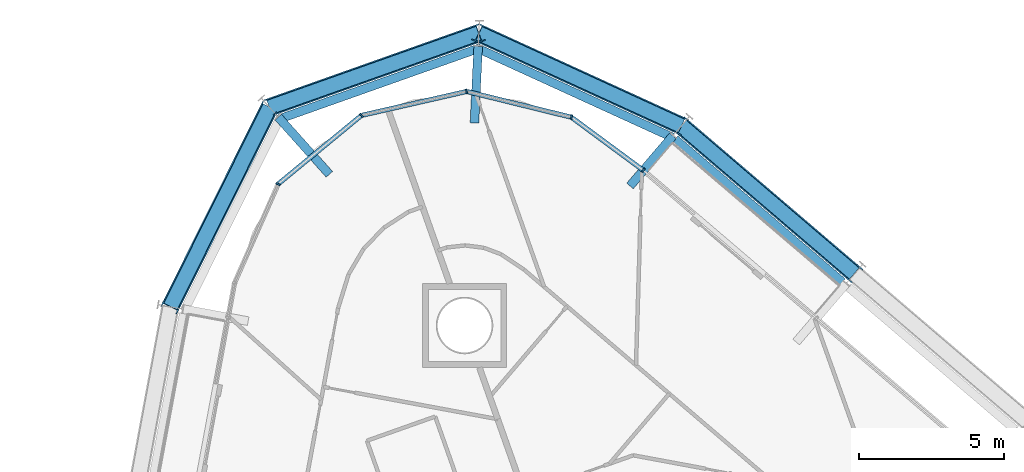
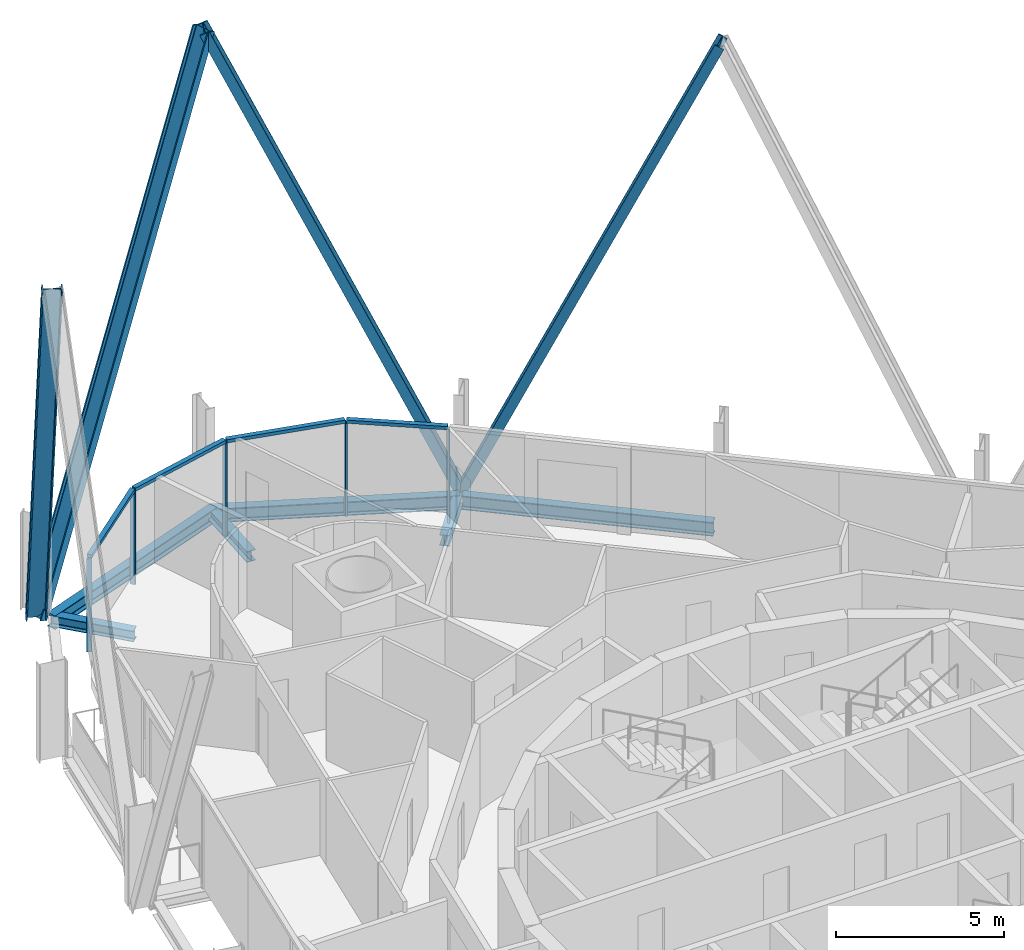
# One storey, part 7 of 17: 13 members, 6 beams, 1 element without a shape of its own.
"""IFC4 building model written with IfcOpenShell, lengths in metres."""

import ifcopenshell
import ifcopenshell.guid

model = None  # the IFC model being written
_history = None  # IfcOwnerHistory: only IFC2X3 demands one
_inside = {}  # id of a spatial element -> (the spatial element, [elements in it])
_under = {}  # id of a project, library or spatial element -> (it, [spatial elements below it])
_declared = {}  # id of a project -> (the project, [libraries it declares])
_typed = {}  # id of a type object -> (the type object, [elements of that type])
_made_of = {}  # id of a material, layer set ... -> (it, [elements and type objects made of it])


def new_model(schema):
    """Start an empty IFC model of exactly this schema.

    Asked for "IFC4X3", IfcOpenShell would pick the latest addendum, in which some entities
    have other attributes; the version numbers below select the first issue.
    IFC2X3 requires an IfcOwnerHistory on every rooted entity: one is made here for all.
    """
    global model, _history
    if schema == "IFC4X3":
        model = ifcopenshell.file(schema_version=(4, 3, 0, 0))
    else:
        model = ifcopenshell.file(schema=schema)
    _inside.clear()
    _under.clear()
    _declared.clear()
    _typed.clear()
    _made_of.clear()
    _history = None
    if model.schema == "IFC2X3":
        org = make("IfcOrganization", Name="unknown")
        user = make(
            "IfcPersonAndOrganization",
            ThePerson=make("IfcPerson", FamilyName="unknown"),
            TheOrganization=org,
        )
        app = make(
            "IfcApplication",
            ApplicationDeveloper=org,
            Version="unknown",
            ApplicationFullName="unknown",
            ApplicationIdentifier="unknown",
        )
        _history = make(
            "IfcOwnerHistory",
            OwningUser=user,
            OwningApplication=app,
            ChangeAction="ADDED",
            CreationDate=0,
        )
    return model


def make(cls, **values):
    """One entity of the class cls with the attributes given. An attribute that is None is left unset."""
    return model.create_entity(
        cls, **{name: value for name, value in values.items() if value is not None}
    )


def rooted(cls, **values):
    """An entity with a GlobalId (a new one), such as an element, a storey or a relation."""
    return make(cls, GlobalId=ifcopenshell.guid.new(), OwnerHistory=_history, **values)


def si_unit(unit_type, name, prefix=None):
    """IfcSIUnit, for example si_unit("LENGTHUNIT", "METRE", prefix="MILLI")."""
    return make("IfcSIUnit", UnitType=unit_type, Prefix=prefix, Name=name)


def assignment(units):
    """IfcUnitAssignment: the units of a project."""
    return None if units is None else make("IfcUnitAssignment", Units=units)


def point(xyz):
    """IfcCartesianPoint."""
    return None if xyz is None else make("IfcCartesianPoint", Coordinates=xyz)


def direction(xyz):
    """IfcDirection."""
    return None if xyz is None else make("IfcDirection", DirectionRatios=xyz)


def frame(location, z_axis=None, x_axis=None):
    """IfcAxis2Placement3D, a coordinate frame: its origin and axes. An axis left out is left unset."""
    return make(
        "IfcAxis2Placement3D",
        Location=point(location),
        Axis=direction(z_axis),
        RefDirection=direction(x_axis),
    )


def frame_2d(location, x_axis=None):
    """IfcAxis2Placement2D, a coordinate frame in the plane: its origin and x axis."""
    return make(
        "IfcAxis2Placement2D", Location=point(location), RefDirection=direction(x_axis)
    )


def origin():
    """The frame at (0, 0, 0) with its axes left unset."""
    return frame((0.0, 0.0, 0.0))


def origin_2d():
    """The frame at (0, 0) in the plane with its x axis left unset."""
    return frame_2d((0.0, 0.0))


def place(relative_to, where):
    """IfcLocalPlacement: puts the frame where relative to a parent placement (None: the world)."""
    return make(
        "IfcLocalPlacement", PlacementRelTo=relative_to, RelativePlacement=where
    )


def context(
    kind, dimensions, precision=None, world=None, true_north=None, identifier=None
):
    """IfcGeometricRepresentationContext, for example the 3D "Model" context."""
    return make(
        "IfcGeometricRepresentationContext",
        ContextIdentifier=identifier,
        ContextType=kind,
        CoordinateSpaceDimension=dimensions,
        Precision=precision,
        WorldCoordinateSystem=world,
        TrueNorth=true_north,
    )


def subcontext(parent, identifier, kind, view, scale=None):
    """IfcGeometricRepresentationSubContext, for example "Body" below "Model"."""
    return make(
        "IfcGeometricRepresentationSubContext",
        ContextIdentifier=identifier,
        ContextType=kind,
        ParentContext=parent,
        TargetScale=scale,
        TargetView=view,
    )


def project(units=None, contexts=None):
    """IfcProject with its units and contexts."""
    return rooted(
        "IfcProject",
        Name="project",
        RepresentationContexts=contexts,
        UnitsInContext=assignment(units),
    )


def spatial(cls, under=None, at=None, **own):
    """A site, building, storey or space (cls), placed at a placement, below another one or the project."""
    s = rooted(cls, ObjectPlacement=at, **own)
    if under is not None:
        _under.setdefault(under.id(), (under, []))[1].append(s)
    return s


def profile(cls, at=None, kind="AREA", **sizes):
    """A parametric profile (cls). Its sizes go by their IFC names, for example OverallWidth=200.0."""
    return make(cls, ProfileType=kind, Position=at, **sizes)


def rectangle(**sizes):
    """IfcRectangleProfileDef."""
    return profile("IfcRectangleProfileDef", **sizes)


def i_section(**sizes):
    """IfcIShapeProfileDef."""
    return profile("IfcIShapeProfileDef", **sizes)


def extrude(swept, where, along, depth):
    """IfcExtrudedAreaSolid: the profile swept, set in the frame where, extruded along a direction by depth."""
    return make(
        "IfcExtrudedAreaSolid",
        SweptArea=swept,
        Position=where,
        ExtrudedDirection=direction(along),
        Depth=depth,
    )


def shape(context_of_items, identifier, shape_type, items):
    """IfcShapeRepresentation: the items that make up one representation, for example the "Body"."""
    return make(
        "IfcShapeRepresentation",
        ContextOfItems=context_of_items,
        RepresentationIdentifier=identifier,
        RepresentationType=shape_type,
        Items=items,
    )


def material(Name=None, Category=None):
    """IfcMaterial."""
    return make("IfcMaterial", Name=Name, Category=Category)


def layer(
    of_material, thickness, ventilated=None, Name=None, Category=None, Priority=None
):
    """IfcMaterialLayer: one layer of a wall or slab, of a material (None: an air gap)."""
    return make(
        "IfcMaterialLayer",
        Material=of_material,
        LayerThickness=thickness,
        IsVentilated=ventilated,
        Name=Name,
        Category=Category,
        Priority=Priority,
    )


def layer_set(layers, Name=None):
    """IfcMaterialLayerSet."""
    return make("IfcMaterialLayerSet", MaterialLayers=layers, LayerSetName=Name)


def material_profile(
    of_material, cross_section, Name=None, Category=None, Priority=None
):
    """IfcMaterialProfile: a cross section and its material."""
    return make(
        "IfcMaterialProfile",
        Name=Name,
        Material=of_material,
        Profile=cross_section,
        Priority=Priority,
        Category=Category,
    )


def profile_set(profiles, Name=None, composite=None):
    """IfcMaterialProfileSet."""
    return make(
        "IfcMaterialProfileSet",
        Name=Name,
        MaterialProfiles=profiles,
        CompositeProfile=composite,
    )


def made_of(thing, what):
    """Note that an element or type object is made of a material, layer set ...; save() writes the relation."""
    if what is not None:
        _made_of.setdefault(what.id(), (what, []))[1].append(thing)
    return thing


def type_object(cls, material=None, **own):
    """A type object (cls), such as IfcWallType, which elements share."""
    return made_of(rooted(cls, **own), material)


def element(
    cls,
    number,
    at=None,
    inside=None,
    cuts=None,
    type_object=None,
    material=None,
    context=None,
    identifier="Body",
    shape_type=None,
    held_by="IfcProductDefinitionShape",
    body=None,
    shapes=None,
    **own,
):
    """One element of the class cls, such as IfcWall. Its Tag is "e" and its number.

    at: its placement. inside: the storey or other place that contains it. cuts: it is an
    opening in that element (IfcRelVoidsElement). A single representation is given by context,
    identifier, shape_type and body (its items); several are given by shapes. held_by: the class
    of the entity that holds the representations. save() writes the other relations.
    """
    e = rooted(cls, Tag="e%d" % number, ObjectPlacement=at, **own)
    if body is not None:
        shapes = [shape(context, identifier, shape_type, body)]
    if shapes is not None:
        e.Representation = make(held_by, Representations=shapes)
    if inside is not None:
        _inside.setdefault(inside.id(), (inside, []))[1].append(e)
    if cuts is not None:
        rooted(
            "IfcRelVoidsElement", RelatingBuildingElement=cuts, RelatedOpeningElement=e
        )
    if type_object is not None:
        _typed.setdefault(type_object.id(), (type_object, []))[1].append(e)
    return made_of(e, material)


def aggregate(whole, parts):
    """IfcRelAggregates: a whole, such as a stair, and the parts it consists of."""
    return rooted("IfcRelAggregates", RelatingObject=whole, RelatedObjects=parts)


def save(model, path):
    """Write the relations noted so far, then the file.

    IfcRelAggregates (storeys below a building ...), IfcRelContainedInSpatialStructure (elements
    in a storey), IfcRelDefinesByType, IfcRelAssociatesMaterial and IfcRelDeclares: one each for
    every whole, place, type object, material and project.
    """
    for whole, parts in _under.values():
        aggregate(whole, parts)
    for where, things in _inside.values():
        rooted(
            "IfcRelContainedInSpatialStructure",
            RelatedElements=things,
            RelatingStructure=where,
        )
    for kind, things in _typed.values():
        rooted("IfcRelDefinesByType", RelatedObjects=things, RelatingType=kind)
    for what, things in _made_of.values():
        rooted("IfcRelAssociatesMaterial", RelatedObjects=things, RelatingMaterial=what)
    for by, libraries in _declared.values():
        rooted("IfcRelDeclares", RelatingContext=by, RelatedDefinitions=libraries)
    model.write(path)


model = new_model("IFC4")

# Units and contexts
model_context = context("Model", 3, precision=1e-05, world=origin(), true_north=direction((0.0, 1.0)))
body_context = subcontext(model_context, "Body", "Model", "MODEL_VIEW")
ifc_project = project(units=[si_unit("LENGTHUNIT", "METRE"), si_unit("AREAUNIT", "SQUARE_METRE"), si_unit("VOLUMEUNIT", "CUBIC_METRE"), si_unit("PLANEANGLEUNIT", "RADIAN"), si_unit("MASSUNIT", "GRAM", prefix="KILO")], contexts=[model_context])

# Site, building, storey
site_placement = place(None, origin())
site = spatial("IfcSite", under=ifc_project, at=site_placement, CompositionType="ELEMENT")
building_placement = place(site_placement, origin())
building = spatial("IfcBuilding", under=site, at=building_placement, Name="Spindle Arch Residences", CompositionType="ELEMENT")
storey_placement = place(building_placement, frame((0.0, 0.0, 165.699951171875)))
storey = spatial("IfcBuildingStorey", under=building, at=storey_placement, Name="L41", CompositionType="ELEMENT", Elevation=165.699951171875)

# Curtain wall, members
ifc_material_1 = material(Name="Aluminium bronze unitised frame with tinted glass", Category="aluminium")
ifc_layer = layer(ifc_material_1, 0.159912109375)
ifc_layer_set = layer_set([ifc_layer], Name="CW-D corner wall on the fillet arcs")
curtain_wall_type = type_object("IfcCurtainWallType", Name="CW-D corner wall on the fillet arcs", PredefinedType="NOTDEFINED", material=ifc_layer_set)
curtain_wall_placement = place(storey_placement, origin())
curtain_wall = element("IfcCurtainWall", 1, at=curtain_wall_placement, inside=storey, type_object=curtain_wall_type, Name="CW-D L41 run 3", PredefinedType="NOTDEFINED")
ifc_material_2 = material(Name="Aluminium bronze anodised mullion", Category="aluminium")
ifc_material_profile_1 = material_profile(ifc_material_2, rectangle(XDim=0.159912109375, YDim=0.06005859375, at=origin_2d()), Name="MU 60x160")
ifc_profile_set_1 = profile_set([ifc_material_profile_1], Name="Aluminium bronze anodised mullion")
member_type_1 = type_object("IfcMemberType", Name="Bronze mullion 60x160", PredefinedType="MULLION", material=ifc_profile_set_1)
member_1_placement = place(storey_placement, frame((-0.86181640625, 25.213623046875, -0.3798828125), z_axis=(0.0, 0.0, 1.0), x_axis=(-0.594134492109, -0.804365716131, 0.0)))
member_1 = element("IfcMember", 2, at=member_1_placement, type_object=member_type_1, Name="CW-D mullion 00", PredefinedType="MULLION", context=body_context, shape_type="SweptSolid", body=[
    extrude(rectangle(XDim=0.159912109375, YDim=0.06005859375, at=origin_2d()), origin(), (0.0, 0.0, 1.0), 3.3798828125),
])
member_2_placement = place(storey_placement, frame((-3.3427734375, 27.046142578125, -0.3798828125), z_axis=(0.0, 0.0, 1.0), x_axis=(-0.239098401721, -0.970995342056, 0.0)))
member_2 = element("IfcMember", 3, at=member_2_placement, type_object=member_type_1, Name="CW-D mullion 01", PredefinedType="MULLION", context=body_context, shape_type="SweptSolid", body=[
    extrude(rectangle(XDim=0.159912109375, YDim=0.06005859375, at=origin_2d()), origin(), (0.0, 0.0, 1.0), 3.3798828125),
])
member_3_placement = place(storey_placement, frame((-6.96142578125, 27.937255859375, -0.3798828125), z_axis=(0.0, 0.0, 1.0), x_axis=(0.222115779633, -0.975020297449, 0.0)))
member_3 = element("IfcMember", 4, at=member_3_placement, type_object=member_type_1, Name="CW-D mullion 02", PredefinedType="MULLION", context=body_context, shape_type="SweptSolid", body=[
    extrude(rectangle(XDim=0.159912109375, YDim=0.06005859375, at=origin_2d()), origin(), (0.0, 0.0, 1.0), 3.3798828125),
])
member_4_placement = place(storey_placement, frame((-10.594970703125, 27.109619140625, -0.3798828125), z_axis=(0.0, 0.0, 1.0), x_axis=(0.636078220709, -0.771624583032, 0.0)))
member_4 = element("IfcMember", 5, at=member_4_placement, type_object=member_type_1, Name="CW-D mullion 03", PredefinedType="MULLION", context=body_context, shape_type="SweptSolid", body=[
    extrude(rectangle(XDim=0.159912109375, YDim=0.06005859375, at=origin_2d()), origin(), (0.0, 0.0, 1.0), 3.3798828125),
])
member_5_placement = place(storey_placement, frame((-13.470703125, 24.739013671875, -0.3798828125), z_axis=(0.0, 0.0, 1.0), x_axis=(0.914724741271, -0.404077526853, 0.0)))
member_5 = element("IfcMember", 6, at=member_5_placement, type_object=member_type_1, Name="CW-D mullion 04", PredefinedType="MULLION", context=body_context, shape_type="SweptSolid", body=[
    extrude(rectangle(XDim=0.159912109375, YDim=0.06005859375, at=origin_2d()), origin(), (0.0, 0.0, 1.0), 3.3798828125),
])
ifc_material_3 = material(Name="Aluminium bronze anodised transom", Category="aluminium")
ifc_material_profile_2 = material_profile(ifc_material_3, rectangle(XDim=0.159912109375, YDim=0.1201171875, at=origin_2d()), Name="TR 120x160")
ifc_profile_set_2 = profile_set([ifc_material_profile_2], Name="Aluminium bronze anodised transom")
member_type_2 = type_object("IfcMemberType", Name="Bronze transom 120x160", PredefinedType="USERDEFINED", material=ifc_profile_set_2)
member_6_placement = place(storey_placement, frame((-0.8857421875, 25.2314453125, 3.06005859375), z_axis=(-0.804385788662, 0.594107316062, 0.0), x_axis=(-0.594107316062, -0.804385788662, 0.0)))
member_6 = element("IfcMember", 7, at=member_6_placement, type_object=member_type_2, Name="CW-D transom 00", ObjectType="TRANSOM", PredefinedType="USERDEFINED", context=body_context, shape_type="SweptSolid", body=[
    extrude(rectangle(XDim=0.159912109375, YDim=0.1201171875, at=origin_2d()), origin(), (0.0, 0.0, 1.0), 3.0244140625),
])
member_7_placement = place(storey_placement, frame((-3.371826171875, 27.053466796875, 3.06005859375), z_axis=(-0.970997997578, 0.239087617204, 0.0), x_axis=(-0.239087617204, -0.970997997578, 0.0)))
member_7 = element("IfcMember", 8, at=member_7_placement, type_object=member_type_2, Name="CW-D transom 01", ObjectType="TRANSOM", PredefinedType="USERDEFINED", context=body_context, shape_type="SweptSolid", body=[
    extrude(rectangle(XDim=0.159912109375, YDim=0.1201171875, at=origin_2d()), origin(), (0.0, 0.0, 1.0), 3.6669921875),
])
member_8_placement = place(storey_placement, frame((-6.99072265625, 27.9306640625, 3.06005859375), z_axis=(-0.975020234813, -0.222116054585, 0.0), x_axis=(0.222116054585, -0.975020234813, 0.0)))
member_8 = element("IfcMember", 9, at=member_8_placement, type_object=member_type_2, Name="CW-D transom 02", ObjectType="TRANSOM", PredefinedType="USERDEFINED", context=body_context, shape_type="SweptSolid", body=[
    extrude(rectangle(XDim=0.159912109375, YDim=0.1201171875, at=origin_2d()), origin(), (0.0, 0.0, 1.0), 3.666748046875),
])
member_9_placement = place(storey_placement, frame((-10.6181640625, 27.09033203125, 3.06005859375), z_axis=(-0.771632242696, -0.63606892868, 0.0), x_axis=(0.63606892868, -0.771632242696, 0.0)))
member_9 = element("IfcMember", 10, at=member_9_placement, type_object=member_type_2, Name="CW-D transom 03", ObjectType="TRANSOM", PredefinedType="USERDEFINED", context=body_context, shape_type="SweptSolid", body=[
    extrude(rectangle(XDim=0.159912109375, YDim=0.1201171875, at=origin_2d()), origin(), (0.0, 0.0, 1.0), 3.666748046875),
])
aggregate(curtain_wall, [member_1, member_6, member_2, member_7, member_3, member_8, member_4, member_9, member_5])

# Members
ifc_material_4 = material(Name="Steel S460ML, intumescent coating R 240", Category="steel")
ifc_material_profile_3 = material_profile(ifc_material_4, i_section(OverallWidth=0.304931640625, OverallDepth=0.6201171875, WebThickness=0.02099609375, FlangeThickness=0.0400390625, FilletRadius=0.027099609375, at=origin_2d()), Name="HEM 600")
ifc_profile_set_3 = profile_set([ifc_material_profile_3], Name="Steel S460ML, intumescent coating R 240")
member_type_3 = type_object("IfcMemberType", Name="Diagrid diagonal HEM 600", PredefinedType="BRACE", material=ifc_profile_set_3)
member_10_placement = place(storey_placement, frame((0.4501953125, 26.74951171875, -0.6298828125), z_axis=(0.314947269373, -0.268980740494, 0.91019645064), x_axis=(-0.692129272015, 0.591113059895, 0.414176799498)))
element("IfcMember", 11, at=member_10_placement, inside=storey, type_object=member_type_3, Name="Diagrid diagonal 4.2.9", PredefinedType="BRACE", context=body_context, shape_type="SweptSolid", body=[
    extrude(i_section(OverallWidth=0.304931640625, OverallDepth=0.6201171875, WebThickness=0.02099609375, FlangeThickness=0.0400390625, FilletRadius=0.027099609375, at=origin_2d()), origin(), (0.0, 0.0, 1.0), 18.97705078125),
])
member_11_placement = place(storey_placement, frame((0.4501953125, 26.74951171875, -0.6298828125), z_axis=(-0.369716056774, 0.169051795292, 0.913636430902), x_axis=(0.830896089252, -0.379925277834, 0.40653225226)))
element("IfcMember", 12, at=member_11_placement, inside=storey, type_object=member_type_3, Name="Diagrid diagonal 4.2.10", PredefinedType="BRACE", context=body_context, shape_type="SweptSolid", body=[
    extrude(i_section(OverallWidth=0.304931640625, OverallDepth=0.6201171875, WebThickness=0.02099609375, FlangeThickness=0.0400390625, FilletRadius=0.027099609375, at=origin_2d()), origin(), (0.0, 0.0, 1.0), 18.90576171875),
])
member_12_placement = place(storey_placement, frame((-13.76318359375, 27.387451171875, -0.6298828125), z_axis=(0.382272602377, 0.135374216835, 0.914079580173), x_axis=(-0.86164622581, -0.305134823376, 0.405534858072)))
element("IfcMember", 13, at=member_12_placement, inside=storey, type_object=member_type_3, Name="Diagrid diagonal 4.2.11", PredefinedType="BRACE", context=body_context, shape_type="SweptSolid", body=[
    extrude(i_section(OverallWidth=0.304931640625, OverallDepth=0.6201171875, WebThickness=0.02099609375, FlangeThickness=0.0400390625, FilletRadius=0.027099609375, at=origin_2d()), origin(), (0.0, 0.0, 1.0), 18.896484375),
])
member_13_placement = place(storey_placement, frame((-13.76318359375, 27.387451171875, -0.6298828125), z_axis=(-0.180933307472, -0.364036110031, 0.913641531915), x_axis=(0.406641404454, 0.818158674723, 0.406520788102)))
element("IfcMember", 14, at=member_13_placement, inside=storey, type_object=member_type_3, Name="Diagrid diagonal 4.2.12", PredefinedType="BRACE", context=body_context, shape_type="SweptSolid", body=[
    extrude(i_section(OverallWidth=0.304931640625, OverallDepth=0.6201171875, WebThickness=0.02099609375, FlangeThickness=0.0400390625, FilletRadius=0.027099609375, at=origin_2d()), origin(), (0.0, 0.0, 1.0), 18.905517578125),
])

# Beams
ifc_material_5 = material(Name="Steel S460ML, intumescent coating R 120", Category="steel")
ifc_material_profile_4 = material_profile(ifc_material_5, i_section(OverallWidth=0.300048828125, OverallDepth=0.5, WebThickness=0.014404296875, FlangeThickness=0.028076171875, FilletRadius=0.027099609375, at=origin_2d()), Name="HEB 500")
ifc_profile_set_4 = profile_set([ifc_material_profile_4], Name="Steel S460ML, intumescent coating R 120")
beam_type_1 = type_object("IfcBeamType", Name="Exoskeleton edge beam HEB 500", PredefinedType="BEAM", material=ifc_profile_set_4)
beam_1_placement = place(storey_placement, frame((6.010009765625, 21.356689453125, -0.6298828125), z_axis=(-0.760418624565, 0.649433226294, 0.0), x_axis=(-0.649433226294, -0.760418624565, 0.0)))
element("IfcBeam", 15, at=beam_1_placement, inside=storey, type_object=beam_type_1, Name="Exoskeleton edge beam 9", PredefinedType="BEAM", context=body_context, shape_type="SweptSolid", body=[
    extrude(i_section(OverallWidth=0.300048828125, OverallDepth=0.5, WebThickness=0.014404296875, FlangeThickness=0.028076171875, FilletRadius=0.027099609375, at=origin_2d()), origin(), (0.0, 0.0, 1.0), 7.60009765625),
])
beam_2_placement = place(storey_placement, frame((0.151123046875, 26.34814453125, -0.6298828125), z_axis=(-0.909437531454, 0.415840566062, 0.0), x_axis=(-0.415840566062, -0.909437531454, 0.0)))
element("IfcBeam", 16, at=beam_2_placement, inside=storey, type_object=beam_type_1, Name="Exoskeleton edge beam 10", PredefinedType="BEAM", context=body_context, shape_type="SweptSolid", body=[
    extrude(i_section(OverallWidth=0.300048828125, OverallDepth=0.5, WebThickness=0.014404296875, FlangeThickness=0.028076171875, FilletRadius=0.027099609375, at=origin_2d()), origin(), (0.0, 0.0, 1.0), 7.42578125),
])
beam_3_placement = place(storey_placement, frame((-6.49853515625, 29.440185546875, -0.6298828125), z_axis=(-0.942642791069, -0.333803188189, 0.0), x_axis=(0.333803188189, -0.942642791069, 0.0)))
element("IfcBeam", 17, at=beam_3_placement, inside=storey, type_object=beam_type_1, Name="Exoskeleton edge beam 11", PredefinedType="BEAM", context=body_context, shape_type="SweptSolid", body=[
    extrude(i_section(OverallWidth=0.300048828125, OverallDepth=0.5, WebThickness=0.014404296875, FlangeThickness=0.028076171875, FilletRadius=0.027099609375, at=origin_2d()), origin(), (0.0, 0.0, 1.0), 7.403076171875),
])
ifc_material_6 = material(Name="Steel S460ML, intumescent coating R 120", Category="steel")
ifc_material_profile_5 = material_profile(ifc_material_6, i_section(OverallWidth=0.300048828125, OverallDepth=0.389892578125, WebThickness=0.010986328125, FlangeThickness=0.01904296875, FilletRadius=0.027099609375, at=origin_2d()), Name="HEA 400")
ifc_profile_set_5 = profile_set([ifc_material_profile_5], Name="Steel S460ML, intumescent coating R 120")
beam_type_2 = type_object("IfcBeamType", Name="Floor outrigger HEA 400", PredefinedType="BEAM", material=ifc_profile_set_5)
beam_4_placement = place(storey_placement, frame((0.157958984375, 26.407470703125, -0.574951171875), z_axis=(-0.649440691167, -0.76041224915, 0.0), x_axis=(0.76041224915, -0.649440691167, 0.0)))
element("IfcBeam", 18, at=beam_4_placement, inside=storey, type_object=beam_type_2, Name="Floor outrigger 10", PredefinedType="BEAM", context=body_context, shape_type="SweptSolid", body=[
    extrude(i_section(OverallWidth=0.300048828125, OverallDepth=0.389892578125, WebThickness=0.010986328125, FlangeThickness=0.01904296875, FilletRadius=0.027099609375, at=origin_2d()), origin(), (0.0, 0.0, 1.0), 2.279296875),
])
for number, where, z_axis, x_axis, name in (
    (19, (-6.561279296875, 29.49609375, -0.574951171875), (-0.048830159672, -0.998807096243, 0.0), (0.998807096243, -0.048830159672, 0.0), "Floor outrigger 11"),
    (20, (-13.46337890625, 27.052001953125, -0.574951171875), (0.666477017118, -0.745525576793, 0.0), (0.745525576793, 0.666477017118, 0.0), "Floor outrigger 12"),
):
    element("IfcBeam", number, at=place(storey_placement, frame(where, z_axis=z_axis, x_axis=x_axis)), inside=storey, type_object=beam_type_2, Name=name, PredefinedType="BEAM", context=body_context, shape_type="SweptSolid", body=[
        extrude(i_section(OverallWidth=0.300048828125, OverallDepth=0.389892578125, WebThickness=0.010986328125, FlangeThickness=0.01904296875, FilletRadius=0.027099609375, at=origin_2d()), origin(), (0.0, 0.0, 1.0), 2.64990234375),
    ])

save(model, "model.ifc")
